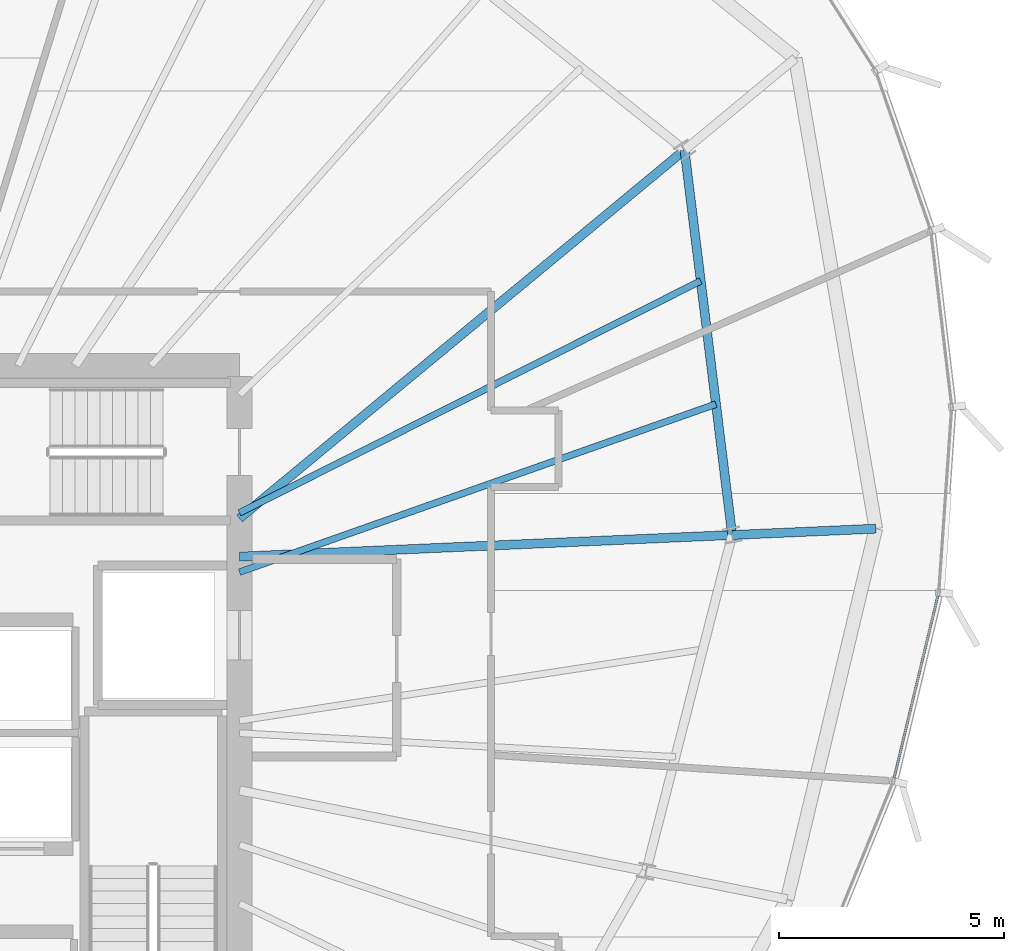
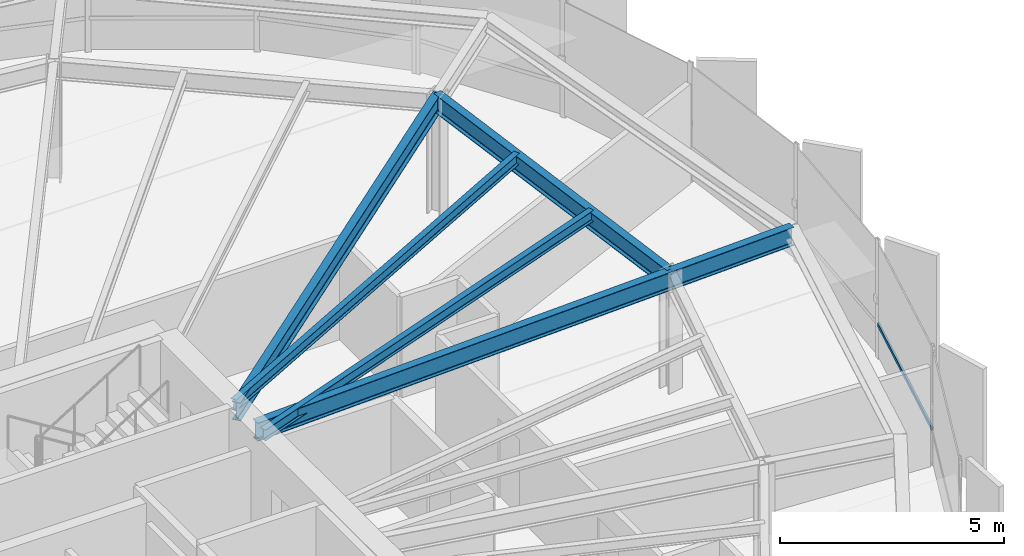
# One storey, part 18 of 35: 6 beams, 1 member, 1 element without a shape of its own.
"""IFC4 building model written with IfcOpenShell, lengths in metres."""

import ifcopenshell
import ifcopenshell.guid

model = None  # the IFC model being written
_history = None  # IfcOwnerHistory: only IFC2X3 demands one
_inside = {}  # id of a spatial element -> (the spatial element, [elements in it])
_under = {}  # id of a project, library or spatial element -> (it, [spatial elements below it])
_declared = {}  # id of a project -> (the project, [libraries it declares])
_typed = {}  # id of a type object -> (the type object, [elements of that type])
_made_of = {}  # id of a material, layer set ... -> (it, [elements and type objects made of it])


def new_model(schema):
    """Start an empty IFC model of exactly this schema.

    Asked for "IFC4X3", IfcOpenShell would pick the latest addendum, in which some entities
    have other attributes; the version numbers below select the first issue.
    IFC2X3 requires an IfcOwnerHistory on every rooted entity: one is made here for all.
    """
    global model, _history
    if schema == "IFC4X3":
        model = ifcopenshell.file(schema_version=(4, 3, 0, 0))
    else:
        model = ifcopenshell.file(schema=schema)
    _inside.clear()
    _under.clear()
    _declared.clear()
    _typed.clear()
    _made_of.clear()
    _history = None
    if model.schema == "IFC2X3":
        org = make("IfcOrganization", Name="unknown")
        user = make(
            "IfcPersonAndOrganization",
            ThePerson=make("IfcPerson", FamilyName="unknown"),
            TheOrganization=org,
        )
        app = make(
            "IfcApplication",
            ApplicationDeveloper=org,
            Version="unknown",
            ApplicationFullName="unknown",
            ApplicationIdentifier="unknown",
        )
        _history = make(
            "IfcOwnerHistory",
            OwningUser=user,
            OwningApplication=app,
            ChangeAction="ADDED",
            CreationDate=0,
        )
    return model


def make(cls, **values):
    """One entity of the class cls with the attributes given. An attribute that is None is left unset."""
    return model.create_entity(
        cls, **{name: value for name, value in values.items() if value is not None}
    )


def rooted(cls, **values):
    """An entity with a GlobalId (a new one), such as an element, a storey or a relation."""
    return make(cls, GlobalId=ifcopenshell.guid.new(), OwnerHistory=_history, **values)


def si_unit(unit_type, name, prefix=None):
    """IfcSIUnit, for example si_unit("LENGTHUNIT", "METRE", prefix="MILLI")."""
    return make("IfcSIUnit", UnitType=unit_type, Prefix=prefix, Name=name)


def assignment(units):
    """IfcUnitAssignment: the units of a project."""
    return None if units is None else make("IfcUnitAssignment", Units=units)


def point(xyz):
    """IfcCartesianPoint."""
    return None if xyz is None else make("IfcCartesianPoint", Coordinates=xyz)


def direction(xyz):
    """IfcDirection."""
    return None if xyz is None else make("IfcDirection", DirectionRatios=xyz)


def frame(location, z_axis=None, x_axis=None):
    """IfcAxis2Placement3D, a coordinate frame: its origin and axes. An axis left out is left unset."""
    return make(
        "IfcAxis2Placement3D",
        Location=point(location),
        Axis=direction(z_axis),
        RefDirection=direction(x_axis),
    )


def frame_2d(location, x_axis=None):
    """IfcAxis2Placement2D, a coordinate frame in the plane: its origin and x axis."""
    return make(
        "IfcAxis2Placement2D", Location=point(location), RefDirection=direction(x_axis)
    )


def origin():
    """The frame at (0, 0, 0) with its axes left unset."""
    return frame((0.0, 0.0, 0.0))


def origin_2d():
    """The frame at (0, 0) in the plane with its x axis left unset."""
    return frame_2d((0.0, 0.0))


def place(relative_to, where):
    """IfcLocalPlacement: puts the frame where relative to a parent placement (None: the world)."""
    return make(
        "IfcLocalPlacement", PlacementRelTo=relative_to, RelativePlacement=where
    )


def context(
    kind, dimensions, precision=None, world=None, true_north=None, identifier=None
):
    """IfcGeometricRepresentationContext, for example the 3D "Model" context."""
    return make(
        "IfcGeometricRepresentationContext",
        ContextIdentifier=identifier,
        ContextType=kind,
        CoordinateSpaceDimension=dimensions,
        Precision=precision,
        WorldCoordinateSystem=world,
        TrueNorth=true_north,
    )


def subcontext(parent, identifier, kind, view, scale=None):
    """IfcGeometricRepresentationSubContext, for example "Body" below "Model"."""
    return make(
        "IfcGeometricRepresentationSubContext",
        ContextIdentifier=identifier,
        ContextType=kind,
        ParentContext=parent,
        TargetScale=scale,
        TargetView=view,
    )


def project(units=None, contexts=None):
    """IfcProject with its units and contexts."""
    return rooted(
        "IfcProject",
        Name="project",
        RepresentationContexts=contexts,
        UnitsInContext=assignment(units),
    )


def spatial(cls, under=None, at=None, **own):
    """A site, building, storey or space (cls), placed at a placement, below another one or the project."""
    s = rooted(cls, ObjectPlacement=at, **own)
    if under is not None:
        _under.setdefault(under.id(), (under, []))[1].append(s)
    return s


def profile(cls, at=None, kind="AREA", **sizes):
    """A parametric profile (cls). Its sizes go by their IFC names, for example OverallWidth=200.0."""
    return make(cls, ProfileType=kind, Position=at, **sizes)


def hollow_rectangle(**sizes):
    """IfcRectangleHollowProfileDef."""
    return profile("IfcRectangleHollowProfileDef", **sizes)


def i_section(**sizes):
    """IfcIShapeProfileDef."""
    return profile("IfcIShapeProfileDef", **sizes)


def extrude(swept, where, along, depth):
    """IfcExtrudedAreaSolid: the profile swept, set in the frame where, extruded along a direction by depth."""
    return make(
        "IfcExtrudedAreaSolid",
        SweptArea=swept,
        Position=where,
        ExtrudedDirection=direction(along),
        Depth=depth,
    )


def shape(context_of_items, identifier, shape_type, items):
    """IfcShapeRepresentation: the items that make up one representation, for example the "Body"."""
    return make(
        "IfcShapeRepresentation",
        ContextOfItems=context_of_items,
        RepresentationIdentifier=identifier,
        RepresentationType=shape_type,
        Items=items,
    )


def source(mapping_origin, context_of_items, identifier, shape_type, items):
    """IfcRepresentationMap: a shape defined once, which mapped items show again and again."""
    return make(
        "IfcRepresentationMap",
        MappingOrigin=mapping_origin,
        MappedRepresentation=shape(context_of_items, identifier, shape_type, items),
    )


def transform(
    local_origin,
    x_axis=None,
    y_axis=None,
    z_axis=None,
    scale=None,
    scale2=None,
    scale3=None,
    uniform=True,
):
    """IfcCartesianTransformationOperator3D, or its non-uniform kind. x_axis, y_axis, z_axis: its Axis1, 2, 3."""
    if uniform:
        return make(
            "IfcCartesianTransformationOperator3D",
            Axis1=direction(x_axis),
            Axis2=direction(y_axis),
            LocalOrigin=point(local_origin),
            Scale=scale,
            Axis3=direction(z_axis),
        )
    return make(
        "IfcCartesianTransformationOperator3DnonUniform",
        Axis1=direction(x_axis),
        Axis2=direction(y_axis),
        LocalOrigin=point(local_origin),
        Scale=scale,
        Axis3=direction(z_axis),
        Scale2=scale2,
        Scale3=scale3,
    )


def mapped(mapping_source, mapping_target):
    """IfcMappedItem: shows the shape of a source again, moved by a transform."""
    return make(
        "IfcMappedItem", MappingSource=mapping_source, MappingTarget=mapping_target
    )


def material(Name=None, Category=None):
    """IfcMaterial."""
    return make("IfcMaterial", Name=Name, Category=Category)


def layer(
    of_material, thickness, ventilated=None, Name=None, Category=None, Priority=None
):
    """IfcMaterialLayer: one layer of a wall or slab, of a material (None: an air gap)."""
    return make(
        "IfcMaterialLayer",
        Material=of_material,
        LayerThickness=thickness,
        IsVentilated=ventilated,
        Name=Name,
        Category=Category,
        Priority=Priority,
    )


def layer_set(layers, Name=None):
    """IfcMaterialLayerSet."""
    return make("IfcMaterialLayerSet", MaterialLayers=layers, LayerSetName=Name)


def material_profile(
    of_material, cross_section, Name=None, Category=None, Priority=None
):
    """IfcMaterialProfile: a cross section and its material."""
    return make(
        "IfcMaterialProfile",
        Name=Name,
        Material=of_material,
        Profile=cross_section,
        Priority=Priority,
        Category=Category,
    )


def profile_set(profiles, Name=None, composite=None):
    """IfcMaterialProfileSet."""
    return make(
        "IfcMaterialProfileSet",
        Name=Name,
        MaterialProfiles=profiles,
        CompositeProfile=composite,
    )


def made_of(thing, what):
    """Note that an element or type object is made of a material, layer set ...; save() writes the relation."""
    if what is not None:
        _made_of.setdefault(what.id(), (what, []))[1].append(thing)
    return thing


def type_object(cls, material=None, **own):
    """A type object (cls), such as IfcWallType, which elements share."""
    return made_of(rooted(cls, **own), material)


def element(
    cls,
    number,
    at=None,
    inside=None,
    cuts=None,
    type_object=None,
    material=None,
    context=None,
    identifier="Body",
    shape_type=None,
    held_by="IfcProductDefinitionShape",
    body=None,
    shapes=None,
    **own,
):
    """One element of the class cls, such as IfcWall. Its Tag is "e" and its number.

    at: its placement. inside: the storey or other place that contains it. cuts: it is an
    opening in that element (IfcRelVoidsElement). A single representation is given by context,
    identifier, shape_type and body (its items); several are given by shapes. held_by: the class
    of the entity that holds the representations. save() writes the other relations.
    """
    e = rooted(cls, Tag="e%d" % number, ObjectPlacement=at, **own)
    if body is not None:
        shapes = [shape(context, identifier, shape_type, body)]
    if shapes is not None:
        e.Representation = make(held_by, Representations=shapes)
    if inside is not None:
        _inside.setdefault(inside.id(), (inside, []))[1].append(e)
    if cuts is not None:
        rooted(
            "IfcRelVoidsElement", RelatingBuildingElement=cuts, RelatedOpeningElement=e
        )
    if type_object is not None:
        _typed.setdefault(type_object.id(), (type_object, []))[1].append(e)
    return made_of(e, material)


def aggregate(whole, parts):
    """IfcRelAggregates: a whole, such as a stair, and the parts it consists of."""
    return rooted("IfcRelAggregates", RelatingObject=whole, RelatedObjects=parts)


def save(model, path):
    """Write the relations noted so far, then the file.

    IfcRelAggregates (storeys below a building ...), IfcRelContainedInSpatialStructure (elements
    in a storey), IfcRelDefinesByType, IfcRelAssociatesMaterial and IfcRelDeclares: one each for
    every whole, place, type object, material and project.
    """
    for whole, parts in _under.values():
        aggregate(whole, parts)
    for where, things in _inside.values():
        rooted(
            "IfcRelContainedInSpatialStructure",
            RelatedElements=things,
            RelatingStructure=where,
        )
    for kind, things in _typed.values():
        rooted("IfcRelDefinesByType", RelatedObjects=things, RelatingType=kind)
    for what, things in _made_of.values():
        rooted("IfcRelAssociatesMaterial", RelatedObjects=things, RelatingMaterial=what)
    for by, libraries in _declared.values():
        rooted("IfcRelDeclares", RelatingContext=by, RelatedDefinitions=libraries)
    model.write(path)


model = new_model("IFC4")

# Units and contexts
model_context = context("Model", 3, precision=1e-05, world=origin(), true_north=direction((0.0, 1.0)))
body_context = subcontext(model_context, "Body", "Model", "MODEL_VIEW")
ifc_project = project(units=[si_unit("LENGTHUNIT", "METRE"), si_unit("AREAUNIT", "SQUARE_METRE"), si_unit("VOLUMEUNIT", "CUBIC_METRE"), si_unit("PLANEANGLEUNIT", "RADIAN"), si_unit("MASSUNIT", "GRAM", prefix="KILO"), si_unit("THERMODYNAMICTEMPERATUREUNIT", "KELVIN")], contexts=[model_context])

# Site, building, storey
site_placement = place(None, origin())
site = spatial("IfcSite", under=ifc_project, at=site_placement, CompositionType="ELEMENT")
building_placement = place(site_placement, origin())
building = spatial("IfcBuilding", under=site, at=building_placement, Name="Kethvar Cultural Tower", CompositionType="ELEMENT")
storey_placement = place(building_placement, frame((0.0, 0.0, 193.89990234375)))
storey = spatial("IfcBuildingStorey", under=building, at=storey_placement, Name="L50", CompositionType="ELEMENT", Elevation=193.89990234375)

# Beams
ifc_material_1 = material(Name="Steel S355J2", Category="steel")
ifc_material_profile_1 = material_profile(ifc_material_1, i_section(OverallWidth=0.199951171875, OverallDepth=0.5, WebThickness=0.01025390625, FlangeThickness=0.01611328125, FilletRadius=0.02099609375, at=origin_2d()), Name="Steel S355J2 — IPE500")
ifc_profile_set_1 = profile_set([ifc_material_profile_1], Name="Steel S355J2 — IPE500")
beam_type_1 = type_object("IfcBeamType", Name="BM-IPE500", PredefinedType="BEAM", material=ifc_profile_set_1)
shared_shape_1 = source(origin(), body_context, "Body", "SweptSolid", [
    extrude(i_section(OverallWidth=0.199951171875, OverallDepth=0.5, WebThickness=0.01025390625, FlangeThickness=0.01611328125, FilletRadius=0.02099609375, at=origin_2d()), origin(), (0.0, 0.0, 1.0), 10.974365234375),
])
beam_1_placement = place(storey_placement, frame((55.60009765625, 31.25, 3.008056640625), z_axis=(0.999038235064, 0.043847518511, 0.0), x_axis=(-0.043847518511, 0.999038235064, 0.0)))
element("IfcBeam", 1, at=beam_1_placement, inside=storey, type_object=beam_type_1, Name="L50 Primary Radial Beam RB-01", PredefinedType="BEAM", context=body_context, shape_type="MappedRepresentation", body=[
    mapped(shared_shape_1, transform((0.0, 0.0, 0.0), scale=1.0)),
])
shared_shape_2 = source(origin(), body_context, "Body", "SweptSolid", [
    extrude(i_section(OverallWidth=0.199951171875, OverallDepth=0.5, WebThickness=0.01025390625, FlangeThickness=0.01611328125, FilletRadius=0.02099609375, at=origin_2d()), origin(), (0.0, 0.0, 1.0), 3.2001953125),
])
beam_2_placement = place(storey_placement, frame((66.56396484375, 31.731201171875, 3.008056640625), z_axis=(0.999037352633, 0.043867619531, 0.0), x_axis=(-0.043867619531, 0.999037352633, 0.0)))
element("IfcBeam", 2, at=beam_2_placement, inside=storey, type_object=beam_type_1, Name="L50 Perimeter Cantilever Beam RC-01", PredefinedType="BEAM", context=body_context, shape_type="MappedRepresentation", body=[
    mapped(shared_shape_2, transform((0.0, 0.0, 0.0), scale=1.0)),
])
shared_shape_3 = source(origin(), body_context, "Body", "SweptSolid", [
    extrude(i_section(OverallWidth=0.199951171875, OverallDepth=0.5, WebThickness=0.01025390625, FlangeThickness=0.01611328125, FilletRadius=0.02099609375, at=origin_2d()), origin(), (0.0, 0.0, 1.0), 12.8564453125),
])
beam_3_placement = place(storey_placement, frame((55.60009765625, 32.10009765625, 3.008056640625), z_axis=(0.770354115625, 0.637616292561, 0.0), x_axis=(-0.637616292561, 0.770354115625, 0.0)))
element("IfcBeam", 3, at=beam_3_placement, inside=storey, type_object=beam_type_1, Name="L50 Primary Radial Beam RB-02", PredefinedType="BEAM", context=body_context, shape_type="MappedRepresentation", body=[
    mapped(shared_shape_3, transform((0.0, 0.0, 0.0), scale=1.0)),
])
shared_shape_4 = source(origin(), body_context, "Body", "SweptSolid", [
    extrude(i_section(OverallWidth=0.199951171875, OverallDepth=0.5, WebThickness=0.01025390625, FlangeThickness=0.01611328125, FilletRadius=0.02099609375, at=origin_2d()), origin(), (0.0, 0.0, 1.0), 8.6318359375),
])
beam_4_placement = place(storey_placement, frame((66.56396484375, 31.731201171875, 3.008056640625), z_axis=(-0.122781430908, 0.992433735936, 0.0), x_axis=(-0.992433735936, -0.122781430908, 0.0)))
element("IfcBeam", 4, at=beam_4_placement, inside=storey, type_object=beam_type_1, Name="L50 Column Ring Tie Beam CR-01", PredefinedType="BEAM", context=body_context, shape_type="MappedRepresentation", body=[
    mapped(shared_shape_4, transform((0.0, 0.0, 0.0), scale=1.0)),
])
ifc_material_profile_2 = material_profile(ifc_material_1, i_section(OverallWidth=0.14990234375, OverallDepth=0.300048828125, WebThickness=0.007080078125, FlangeThickness=0.0107421875, FilletRadius=0.014892578125, at=origin_2d()), Name="Steel S355J2 — IPE300")
ifc_profile_set_2 = profile_set([ifc_material_profile_2], Name="Steel S355J2 — IPE300")
beam_type_2 = type_object("IfcBeamType", Name="BM-J300", PredefinedType="JOIST", material=ifc_profile_set_2)
shared_shape_5 = source(origin(), body_context, "Body", "SweptSolid", [
    extrude(i_section(OverallWidth=0.14990234375, OverallDepth=0.300048828125, WebThickness=0.007080078125, FlangeThickness=0.0107421875, FilletRadius=0.014892578125, at=origin_2d()), origin(), (0.0, 0.0, 1.0), 11.24365234375),
])
beam_5_placement = place(storey_placement, frame((55.60009765625, 30.90380859375, 3.108154296875), z_axis=(0.943058059975, 0.332628164044, 0.0), x_axis=(-0.332628164044, 0.943058059975, 0.0)))
element("IfcBeam", 5, at=beam_5_placement, inside=storey, type_object=beam_type_2, Name="L50 Composite Floor Joist J-01A", PredefinedType="JOIST", context=body_context, shape_type="MappedRepresentation", body=[
    mapped(shared_shape_5, transform((0.0, 0.0, 0.0), scale=1.0)),
])
shared_shape_6 = source(origin(), body_context, "Body", "SweptSolid", [
    extrude(i_section(OverallWidth=0.14990234375, OverallDepth=0.300048828125, WebThickness=0.007080078125, FlangeThickness=0.0107421875, FilletRadius=0.014892578125, at=origin_2d()), origin(), (0.0, 0.0, 1.0), 11.48876953125),
])
beam_6_placement = place(storey_placement, frame((55.60009765625, 32.224365234375, 3.108154296875), z_axis=(0.893434724969, 0.449193045605, 0.0), x_axis=(-0.449193045605, 0.893434724969, 0.0)))
element("IfcBeam", 6, at=beam_6_placement, inside=storey, type_object=beam_type_2, Name="L50 Composite Floor Joist J-01B", PredefinedType="JOIST", context=body_context, shape_type="MappedRepresentation", body=[
    mapped(shared_shape_6, transform((0.0, 0.0, 0.0), scale=1.0)),
])

# Curtain wall, member
ifc_material_2 = material(Name="Aluminium 6063-T6", Category="aluminium")
ifc_layer = layer(ifc_material_2, 0.179931640625, Name="Aluminium 6063-T6", Category="aluminium")
ifc_layer_set = layer_set([ifc_layer], Name="Aluminium 6063-T6 (180 mm)")
curtain_wall_type = type_object("IfcCurtainWallType", Name="CW-SYS-04-Z34", PredefinedType="NOTDEFINED", material=ifc_layer_set)
curtain_wall_placement = place(storey_placement, origin())
curtain_wall = element("IfcCurtainWall", 7, at=curtain_wall_placement, inside=storey, type_object=curtain_wall_type, Name="L50 Curtain Wall Run 06", PredefinedType="NOTDEFINED")
ifc_material_profile_3 = material_profile(ifc_material_2, hollow_rectangle(XDim=0.050048828125, YDim=0.10009765625, WallThickness=0.00390625, at=origin_2d()), Name="Aluminium 6063-T6 — RHS100x50x4")
ifc_profile_set_3 = profile_set([ifc_material_profile_3], Name="Aluminium 6063-T6 — RHS100x50x4")
member_type = type_object("IfcMemberType", Name="CW-SYS-04-Z34-TRN", PredefinedType="USERDEFINED", material=ifc_profile_set_3)
shared_shape_7 = source(origin(), body_context, "Body", "SweptSolid", [
    extrude(hollow_rectangle(XDim=0.050048828125, YDim=0.10009765625, WallThickness=0.00390625, at=origin_2d()), origin(), (0.0, 0.0, 1.0), 4.245361328125),
])
member_placement = place(storey_placement, frame((70.160888671875, 26.29736328125, 0.9501953125), z_axis=(0.233540427241, 0.972347092783, 0.0), x_axis=(-0.972347092783, 0.233540427241, 0.0)))
member = element("IfcMember", 8, at=member_placement, type_object=member_type, Name="CW-L50-R06 Transom 2", ObjectType="TRANSOM", PredefinedType="USERDEFINED", context=body_context, shape_type="MappedRepresentation", body=[
    mapped(shared_shape_7, transform((0.0, 0.0, 0.0), scale=1.0)),
])
aggregate(curtain_wall, [member])

save(model, "model.ifc")
